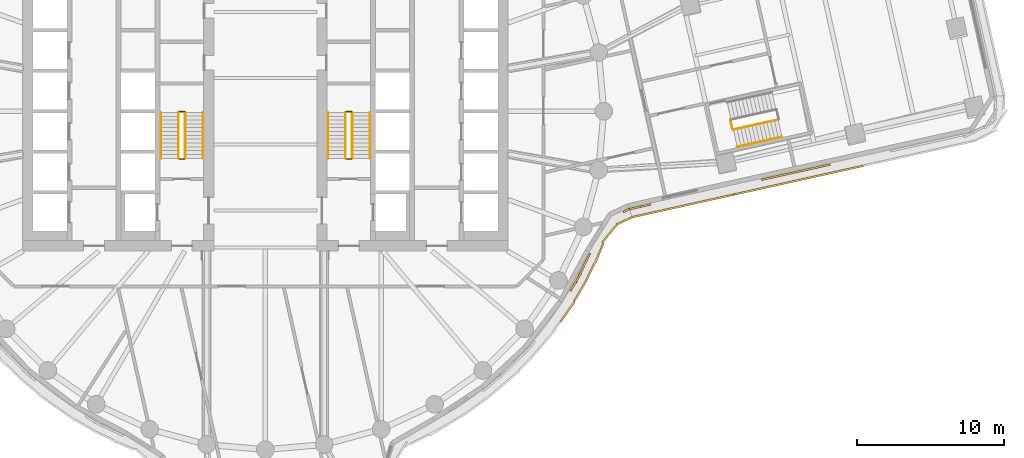
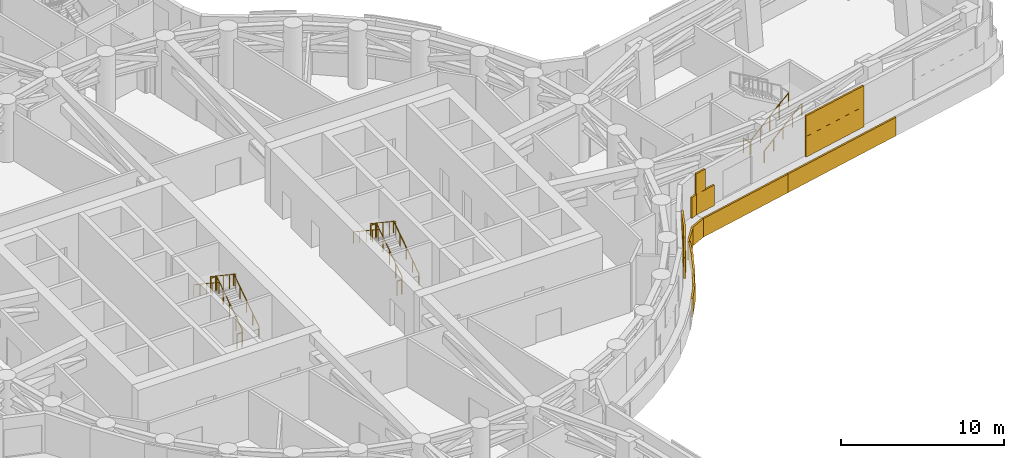
# One storey, part 19 of 22: 15 railings, 3 coverings.
"""IFC4 building model written with IfcOpenShell, lengths in metres."""

from ifc_helpers import new_model, si_unit, direction, frame, origin, origin_2d, place, context, subcontext, project, spatial, rectangle, circle, extrude, material, layer, layer_set, type_object, element, save


model = new_model("IFC4")

# Units and contexts
model_context = context("Model", 3, precision=1e-05, world=origin(), true_north=direction((0.0, 1.0)))
body_context = subcontext(model_context, "Body", "Model", "MODEL_VIEW")
ifc_project = project(units=[si_unit("LENGTHUNIT", "METRE"), si_unit("AREAUNIT", "SQUARE_METRE"), si_unit("VOLUMEUNIT", "CUBIC_METRE"), si_unit("PLANEANGLEUNIT", "RADIAN"), si_unit("MASSUNIT", "GRAM", prefix="KILO")], contexts=[model_context])

# Site, building, storey
site_placement = place(None, origin())
site = spatial("IfcSite", under=ifc_project, at=site_placement, CompositionType="ELEMENT")
building_placement = place(site_placement, origin())
building = spatial("IfcBuilding", under=site, at=building_placement, Name="Tamarind Cross Interchange Tower", CompositionType="ELEMENT")
storey_placement = place(building_placement, frame((0.0, 0.0, 79.0)))
storey = spatial("IfcBuildingStorey", under=building, at=storey_placement, Name="L18", CompositionType="ELEMENT", Elevation=79.0)

# Railings
ifc_material_1 = material(Name="Stair guard")
railing_type_1 = type_object("IfcRailingType", Name="Stair guard", PredefinedType="GUARDRAIL", material=ifc_material_1)
railing_1_placement = place(storey_placement, frame((-5.449951171875, -3.199951171875, 0.173095703125)))
element("IfcRailing", 1, at=railing_1_placement, inside=storey, type_object=railing_type_1, Name="L18 ST1 stair guard 1", PredefinedType="GUARDRAIL", context=body_context, shape_type="SweptSolid", body=[
    extrude(circle(Radius=0.02392578125, at=origin_2d()), frame((0.0, 0.0, 1.076171875), z_axis=(0.0, 0.832420903958, 0.554143879018), x_axis=(-1.0, 0.0, 0.0)), (0.0, 0.0, 1.0), 3.748046875),
    extrude(circle(Radius=0.02099609375, at=origin_2d()), origin(), (0.0, 0.0, 1.0), 1.052001953125),
    extrude(circle(Radius=0.02099609375, at=origin_2d()), frame((0.0, 0.780029296875, 0.519287109375)), (0.0, 0.0, 1.0), 1.052001953125),
    extrude(circle(Radius=0.02099609375, at=origin_2d()), frame((0.0, 1.56005859375, 1.03857421875)), (0.0, 0.0, 1.0), 1.052001953125),
    extrude(circle(Radius=0.02099609375, at=origin_2d()), frame((0.0, 2.33984375, 1.5576171875)), (0.0, 0.0, 1.0), 1.052001953125),
    extrude(circle(Radius=0.02099609375, at=origin_2d()), frame((0.0, 3.119873046875, 2.076904296875)), (0.0, 0.0, 1.0), 1.052001953125),
])
railing_2_placement = place(storey_placement, frame((-5.5, -0.030029296875, 2.25)))
element("IfcRailing", 2, at=railing_2_placement, inside=storey, type_object=railing_type_1, Name="L18 ST1 stair guard 2", PredefinedType="GUARDRAIL", context=body_context, shape_type="SweptSolid", body=[
    extrude(circle(Radius=0.02392578125, at=origin_2d()), frame((0.0, 0.0, 1.076171875), z_axis=(-1.0, 0.0, 0.0), x_axis=(0.0, -1.0, 0.0)), (0.0, 0.0, 1.0), 0.35009765625),
    extrude(circle(Radius=0.02099609375, at=origin_2d()), origin(), (0.0, 0.0, 1.0), 1.052001953125),
    extrude(circle(Radius=0.02099609375, at=origin_2d()), frame((-0.35009765625, 0.0, 0.0)), (0.0, 0.0, 1.0), 1.052001953125),
])
railing_3_placement = place(storey_placement, frame((-5.89990234375, -0.080078125, 2.423095703125)))
element("IfcRailing", 3, at=railing_3_placement, inside=storey, type_object=railing_type_1, Name="L18 ST1 stair guard 3", PredefinedType="GUARDRAIL", context=body_context, shape_type="SweptSolid", body=[
    extrude(circle(Radius=0.02392578125, at=origin_2d()), frame((0.0, 0.0, 1.076171875), z_axis=(0.0, -0.832420903958, 0.554143879018), x_axis=(1.0, 0.0, 0.0)), (0.0, 0.0, 1.0), 3.748046875),
    extrude(circle(Radius=0.02099609375, at=origin_2d()), origin(), (0.0, 0.0, 1.0), 1.052001953125),
    extrude(circle(Radius=0.02099609375, at=origin_2d()), frame((0.0, -0.780029296875, 0.519287109375)), (0.0, 0.0, 1.0), 1.052001953125),
    extrude(circle(Radius=0.02099609375, at=origin_2d()), frame((0.0, -1.56005859375, 1.03857421875)), (0.0, 0.0, 1.0), 1.052001953125),
    extrude(circle(Radius=0.02099609375, at=origin_2d()), frame((0.0, -2.33984375, 1.5576171875)), (0.0, 0.0, 1.0), 1.052001953125),
    extrude(circle(Radius=0.02099609375, at=origin_2d()), frame((0.0, -3.119873046875, 2.076904296875)), (0.0, 0.0, 1.0), 1.052001953125),
])
railing_4_placement = place(storey_placement, frame((-5.5, -3.25, 0.0)))
element("IfcRailing", 4, at=railing_4_placement, inside=storey, type_object=railing_type_1, Name="L18 ST1 stair guard 4", PredefinedType="GUARDRAIL", context=body_context, shape_type="SweptSolid", body=[
    extrude(circle(Radius=0.02392578125, at=origin_2d()), frame((0.0, 0.0, 1.076171875), z_axis=(-1.0, 0.0, 0.0), x_axis=(0.0, -1.0, 0.0)), (0.0, 0.0, 1.0), 0.35009765625),
    extrude(circle(Radius=0.02099609375, at=origin_2d()), origin(), (0.0, 0.0, 1.0), 1.052001953125),
    extrude(circle(Radius=0.02099609375, at=origin_2d()), frame((-0.35009765625, 0.0, 0.0)), (0.0, 0.0, 1.0), 1.052001953125),
])
railing_5_placement = place(storey_placement, frame((5.89990234375, -3.199951171875, 0.173095703125)))
element("IfcRailing", 5, at=railing_5_placement, inside=storey, type_object=railing_type_1, Name="L18 ST2 stair guard 1", PredefinedType="GUARDRAIL", context=body_context, shape_type="SweptSolid", body=[
    extrude(circle(Radius=0.02392578125, at=origin_2d()), frame((0.0, 0.0, 1.076171875), z_axis=(0.0, 0.832420903958, 0.554143879018), x_axis=(-1.0, 0.0, 0.0)), (0.0, 0.0, 1.0), 3.748046875),
    extrude(circle(Radius=0.02099609375, at=origin_2d()), origin(), (0.0, 0.0, 1.0), 1.052001953125),
    extrude(circle(Radius=0.02099609375, at=origin_2d()), frame((0.0, 0.780029296875, 0.519287109375)), (0.0, 0.0, 1.0), 1.052001953125),
    extrude(circle(Radius=0.02099609375, at=origin_2d()), frame((0.0, 1.56005859375, 1.03857421875)), (0.0, 0.0, 1.0), 1.052001953125),
    extrude(circle(Radius=0.02099609375, at=origin_2d()), frame((0.0, 2.33984375, 1.5576171875)), (0.0, 0.0, 1.0), 1.052001953125),
    extrude(circle(Radius=0.02099609375, at=origin_2d()), frame((0.0, 3.119873046875, 2.076904296875)), (0.0, 0.0, 1.0), 1.052001953125),
])
railing_6_placement = place(storey_placement, frame((5.85009765625, -0.030029296875, 2.25)))
element("IfcRailing", 6, at=railing_6_placement, inside=storey, type_object=railing_type_1, Name="L18 ST2 stair guard 2", PredefinedType="GUARDRAIL", context=body_context, shape_type="SweptSolid", body=[
    extrude(circle(Radius=0.02392578125, at=origin_2d()), frame((0.0, 0.0, 1.076171875), z_axis=(-1.0, 0.0, 0.0), x_axis=(0.0, -1.0, 0.0)), (0.0, 0.0, 1.0), 0.35009765625),
    extrude(circle(Radius=0.02099609375, at=origin_2d()), origin(), (0.0, 0.0, 1.0), 1.052001953125),
    extrude(circle(Radius=0.02099609375, at=origin_2d()), frame((-0.35009765625, 0.0, 0.0)), (0.0, 0.0, 1.0), 1.052001953125),
])
railing_7_placement = place(storey_placement, frame((5.449951171875, -0.080078125, 2.423095703125)))
element("IfcRailing", 7, at=railing_7_placement, inside=storey, type_object=railing_type_1, Name="L18 ST2 stair guard 3", PredefinedType="GUARDRAIL", context=body_context, shape_type="SweptSolid", body=[
    extrude(circle(Radius=0.02392578125, at=origin_2d()), frame((0.0, 0.0, 1.076171875), z_axis=(0.0, -0.832420903958, 0.554143879018), x_axis=(1.0, 0.0, 0.0)), (0.0, 0.0, 1.0), 3.748046875),
    extrude(circle(Radius=0.02099609375, at=origin_2d()), origin(), (0.0, 0.0, 1.0), 1.052001953125),
    extrude(circle(Radius=0.02099609375, at=origin_2d()), frame((0.0, -0.780029296875, 0.519287109375)), (0.0, 0.0, 1.0), 1.052001953125),
    extrude(circle(Radius=0.02099609375, at=origin_2d()), frame((0.0, -1.56005859375, 1.03857421875)), (0.0, 0.0, 1.0), 1.052001953125),
    extrude(circle(Radius=0.02099609375, at=origin_2d()), frame((0.0, -2.33984375, 1.5576171875)), (0.0, 0.0, 1.0), 1.052001953125),
    extrude(circle(Radius=0.02099609375, at=origin_2d()), frame((0.0, -3.119873046875, 2.076904296875)), (0.0, 0.0, 1.0), 1.052001953125),
])
railing_8_placement = place(storey_placement, frame((5.85009765625, -3.25, 0.0)))
element("IfcRailing", 8, at=railing_8_placement, inside=storey, type_object=railing_type_1, Name="L18 ST2 stair guard 4", PredefinedType="GUARDRAIL", context=body_context, shape_type="SweptSolid", body=[
    extrude(circle(Radius=0.02392578125, at=origin_2d()), frame((0.0, 0.0, 1.076171875), z_axis=(-1.0, 0.0, 0.0), x_axis=(0.0, -1.0, 0.0)), (0.0, 0.0, 1.0), 0.35009765625),
    extrude(circle(Radius=0.02099609375, at=origin_2d()), origin(), (0.0, 0.0, 1.0), 1.052001953125),
    extrude(circle(Radius=0.02099609375, at=origin_2d()), frame((-0.35009765625, 0.0, 0.0)), (0.0, 0.0, 1.0), 1.052001953125),
])
railing_9_placement = place(storey_placement, frame((31.805419921875, -1.251220703125, 0.173095703125)))
element("IfcRailing", 9, at=railing_9_placement, inside=storey, type_object=railing_type_1, Name="L18 ST3 stair guard 1", PredefinedType="GUARDRAIL", context=body_context, shape_type="SweptSolid", body=[
    extrude(circle(Radius=0.02392578125, at=origin_2d()), frame((0.0, 0.0, 1.076171875), z_axis=(0.812587629324, 0.180690828356, 0.554122882778), x_axis=(-0.217063019009, 0.976157592696, 0.0)), (0.0, 0.0, 1.0), 3.748046875),
    extrude(circle(Radius=0.02099609375, at=origin_2d()), origin(), (0.0, 0.0, 1.0), 1.052001953125),
    extrude(circle(Radius=0.02099609375, at=origin_2d()), frame((0.761474609375, 0.16943359375, 0.519287109375)), (0.0, 0.0, 1.0), 1.052001953125),
    extrude(circle(Radius=0.02099609375, at=origin_2d()), frame((1.52294921875, 0.338623046875, 1.03857421875)), (0.0, 0.0, 1.0), 1.052001953125),
    extrude(circle(Radius=0.02099609375, at=origin_2d()), frame((2.2841796875, 0.5078125, 1.5576171875)), (0.0, 0.0, 1.0), 1.052001953125),
    extrude(circle(Radius=0.02099609375, at=origin_2d()), frame((3.045654296875, 0.67724609375, 2.076904296875)), (0.0, 0.0, 1.0), 1.052001953125),
])
railing_10_placement = place(storey_placement, frame((31.745849609375, -1.21337890625, 0.0)))
element("IfcRailing", 10, at=railing_10_placement, inside=storey, type_object=railing_type_1, Name="L18 ST3 stair guard 4", PredefinedType="GUARDRAIL", context=body_context, shape_type="SweptSolid", body=[
    extrude(circle(Radius=0.02392578125, at=origin_2d()), frame((0.0, 0.0, 1.076171875), z_axis=(-0.21727509746, 0.976110409751, 0.0), x_axis=(-0.976110409751, -0.21727509746, 0.0)), (0.0, 0.0, 1.0), 0.60009765625),
    extrude(circle(Radius=0.02099609375, at=origin_2d()), origin(), (0.0, 0.0, 1.0), 1.052001953125),
    extrude(circle(Radius=0.02099609375, at=origin_2d()), frame((-0.13037109375, 0.585693359375, 0.0)), (0.0, 0.0, 1.0), 1.052001953125),
])
ifc_material_2 = material(Name="Stair handrail")
railing_type_2 = type_object("IfcRailingType", Name="Stair handrail", PredefinedType="HANDRAIL", material=ifc_material_2)
railing_11_placement = place(storey_placement, frame((-4.25, -3.199951171875, 0.173095703125)))
element("IfcRailing", 11, at=railing_11_placement, inside=storey, type_object=railing_type_2, Name="L18 ST1 stair handrail 1", PredefinedType="HANDRAIL", context=body_context, shape_type="SweptSolid", body=[
    extrude(circle(Radius=0.02392578125, at=origin_2d()), frame((0.0, 0.0, 0.8759765625), z_axis=(0.0, 0.832420903958, 0.554143879018), x_axis=(-1.0, 0.0, 0.0)), (0.0, 0.0, 1.0), 3.748046875),
    extrude(circle(Radius=0.02099609375, at=origin_2d()), origin(), (0.0, 0.0, 1.0), 0.851806640625),
    extrude(circle(Radius=0.02099609375, at=origin_2d()), frame((0.0, 0.780029296875, 0.519287109375)), (0.0, 0.0, 1.0), 0.851806640625),
    extrude(circle(Radius=0.02099609375, at=origin_2d()), frame((0.0, 1.56005859375, 1.03857421875)), (0.0, 0.0, 1.0), 0.851806640625),
    extrude(circle(Radius=0.02099609375, at=origin_2d()), frame((0.0, 2.33984375, 1.5576171875)), (0.0, 0.0, 1.0), 0.851806640625),
    extrude(circle(Radius=0.02099609375, at=origin_2d()), frame((0.0, 3.119873046875, 2.076904296875)), (0.0, 0.0, 1.0), 0.851806640625),
])
railing_12_placement = place(storey_placement, frame((-7.10009765625, -0.080078125, 2.423095703125)))
element("IfcRailing", 12, at=railing_12_placement, inside=storey, type_object=railing_type_2, Name="L18 ST1 stair handrail 2", PredefinedType="HANDRAIL", context=body_context, shape_type="SweptSolid", body=[
    extrude(circle(Radius=0.02392578125, at=origin_2d()), frame((0.0, 0.0, 0.8759765625), z_axis=(0.0, -0.832420903958, 0.554143879018), x_axis=(1.0, 0.0, 0.0)), (0.0, 0.0, 1.0), 3.748046875),
    extrude(circle(Radius=0.02099609375, at=origin_2d()), origin(), (0.0, 0.0, 1.0), 0.851806640625),
    extrude(circle(Radius=0.02099609375, at=origin_2d()), frame((0.0, -0.780029296875, 0.519287109375)), (0.0, 0.0, 1.0), 0.851806640625),
    extrude(circle(Radius=0.02099609375, at=origin_2d()), frame((0.0, -1.56005859375, 1.03857421875)), (0.0, 0.0, 1.0), 0.851806640625),
    extrude(circle(Radius=0.02099609375, at=origin_2d()), frame((0.0, -2.33984375, 1.5576171875)), (0.0, 0.0, 1.0), 0.851806640625),
    extrude(circle(Radius=0.02099609375, at=origin_2d()), frame((0.0, -3.119873046875, 2.076904296875)), (0.0, 0.0, 1.0), 0.851806640625),
])
railing_13_placement = place(storey_placement, frame((7.10009765625, -3.199951171875, 0.173095703125)))
element("IfcRailing", 13, at=railing_13_placement, inside=storey, type_object=railing_type_2, Name="L18 ST2 stair handrail 1", PredefinedType="HANDRAIL", context=body_context, shape_type="SweptSolid", body=[
    extrude(circle(Radius=0.02392578125, at=origin_2d()), frame((0.0, 0.0, 0.8759765625), z_axis=(0.0, 0.832420903958, 0.554143879018), x_axis=(-1.0, 0.0, 0.0)), (0.0, 0.0, 1.0), 3.748046875),
    extrude(circle(Radius=0.02099609375, at=origin_2d()), origin(), (0.0, 0.0, 1.0), 0.851806640625),
    extrude(circle(Radius=0.02099609375, at=origin_2d()), frame((0.0, 0.780029296875, 0.519287109375)), (0.0, 0.0, 1.0), 0.851806640625),
    extrude(circle(Radius=0.02099609375, at=origin_2d()), frame((0.0, 1.56005859375, 1.03857421875)), (0.0, 0.0, 1.0), 0.851806640625),
    extrude(circle(Radius=0.02099609375, at=origin_2d()), frame((0.0, 2.33984375, 1.5576171875)), (0.0, 0.0, 1.0), 0.851806640625),
    extrude(circle(Radius=0.02099609375, at=origin_2d()), frame((0.0, 3.119873046875, 2.076904296875)), (0.0, 0.0, 1.0), 0.851806640625),
])
railing_14_placement = place(storey_placement, frame((4.25, -0.080078125, 2.423095703125)))
element("IfcRailing", 14, at=railing_14_placement, inside=storey, type_object=railing_type_2, Name="L18 ST2 stair handrail 2", PredefinedType="HANDRAIL", context=body_context, shape_type="SweptSolid", body=[
    extrude(circle(Radius=0.02392578125, at=origin_2d()), frame((0.0, 0.0, 0.8759765625), z_axis=(0.0, -0.832420903958, 0.554143879018), x_axis=(1.0, 0.0, 0.0)), (0.0, 0.0, 1.0), 3.748046875),
    extrude(circle(Radius=0.02099609375, at=origin_2d()), origin(), (0.0, 0.0, 1.0), 0.851806640625),
    extrude(circle(Radius=0.02099609375, at=origin_2d()), frame((0.0, -0.780029296875, 0.519287109375)), (0.0, 0.0, 1.0), 0.851806640625),
    extrude(circle(Radius=0.02099609375, at=origin_2d()), frame((0.0, -1.56005859375, 1.03857421875)), (0.0, 0.0, 1.0), 0.851806640625),
    extrude(circle(Radius=0.02099609375, at=origin_2d()), frame((0.0, -2.33984375, 1.5576171875)), (0.0, 0.0, 1.0), 0.851806640625),
    extrude(circle(Radius=0.02099609375, at=origin_2d()), frame((0.0, -3.119873046875, 2.076904296875)), (0.0, 0.0, 1.0), 0.851806640625),
])
railing_15_placement = place(storey_placement, frame((32.06591796875, -2.422607421875, 0.173095703125)))
element("IfcRailing", 15, at=railing_15_placement, inside=storey, type_object=railing_type_2, Name="L18 ST3 stair handrail 1", PredefinedType="HANDRAIL", context=body_context, shape_type="SweptSolid", body=[
    extrude(circle(Radius=0.02392578125, at=origin_2d()), frame((0.0, 0.0, 0.8759765625), z_axis=(0.812587629324, 0.180690828356, 0.554122882778), x_axis=(-0.217063019009, 0.976157592696, 0.0)), (0.0, 0.0, 1.0), 3.748046875),
    extrude(circle(Radius=0.02099609375, at=origin_2d()), origin(), (0.0, 0.0, 1.0), 0.851806640625),
    extrude(circle(Radius=0.02099609375, at=origin_2d()), frame((0.761474609375, 0.16943359375, 0.519287109375)), (0.0, 0.0, 1.0), 0.851806640625),
    extrude(circle(Radius=0.02099609375, at=origin_2d()), frame((1.52294921875, 0.338623046875, 1.03857421875)), (0.0, 0.0, 1.0), 0.851806640625),
    extrude(circle(Radius=0.02099609375, at=origin_2d()), frame((2.2841796875, 0.5078125, 1.5576171875)), (0.0, 0.0, 1.0), 0.851806640625),
    extrude(circle(Radius=0.02099609375, at=origin_2d()), frame((3.045654296875, 0.67724609375, 2.076904296875)), (0.0, 0.0, 1.0), 0.851806640625),
])

# Coverings
ifc_material_3 = material(Name="Terracotta", Category="masonry")
ifc_layer = layer(ifc_material_3, 0.1201171875)
ifc_layer_set = layer_set([ifc_layer], Name="Terracotta")
covering_type = type_object("IfcCoveringType", Name="Terracotta baguette screen unit", PredefinedType="MOLDING", material=ifc_layer_set)
covering_1_placement = place(storey_placement, origin())
element("IfcCovering", 16, at=covering_1_placement, inside=storey, type_object=covering_type, Name="SCR-L18-06-01", PredefinedType="MOLDING", context=body_context, shape_type="SweptSolid", body=[
    extrude(rectangle(XDim=0.64013671875, YDim=0.1201171875, at=origin_2d()), frame((20.895751953125, -11.942626953125, 1.404052734375), z_axis=(0.0, 0.0, 1.0), x_axis=(0.508183308752, 0.861248933065, 0.0)), (0.0, 0.0, 1.0), 1.5419921875),
    extrude(rectangle(XDim=1.52001953125, YDim=0.1201171875, at=origin_2d()), frame((21.407470703125, -11.009765625, 1.404052734375), z_axis=(0.0, 0.0, 1.0), x_axis=(0.435326231914, 0.900272776334, 0.0)), (0.0, 0.0, 1.0), 1.5419921875),
    extrude(rectangle(XDim=0.4677734375, YDim=0.1201171875, at=origin_2d()), frame((24.535888671875, -6.7509765625, 1.404052734375), z_axis=(0.0, 0.0, 1.0), x_axis=(0.904149123299, 0.427216997365, 0.0)), (0.0, 0.0, 1.0), 1.5419921875),
    extrude(rectangle(XDim=1.39013671875, YDim=0.1201171875, at=origin_2d()), frame((21.086181640625, -11.61962890625, 2.9541015625), z_axis=(0.0, 0.0, 1.0), x_axis=(0.508183308752, 0.861248933065, 0.0)), (0.0, 0.0, 1.0), 1.5419921875),
    extrude(rectangle(XDim=1.52001953125, YDim=0.1201171875, at=origin_2d()), frame((21.734130859375, -10.33447265625, 2.9541015625), z_axis=(0.0, 0.0, 1.0), x_axis=(0.435326231914, 0.900272776334, 0.0)), (0.0, 0.0, 1.0), 1.5419921875),
    extrude(rectangle(XDim=0.143798828125, YDim=0.1201171875, at=origin_2d()), frame((20.10205078125, -14.248291015625, 0.00390625), z_axis=(0.0, 0.0, 1.0), x_axis=(0.577568978284, 0.816341886298, 0.0)), (0.0, 0.0, 1.0), 1.39208984375),
    extrude(rectangle(XDim=1.52001953125, YDim=0.1201171875, at=origin_2d()), frame((20.57080078125, -13.58544921875, 0.00390625), z_axis=(0.0, 0.0, 1.0), x_axis=(0.577568978284, 0.816341886298, 0.0)), (0.0, 0.0, 1.0), 1.39208984375),
    extrude(rectangle(XDim=1.52001953125, YDim=0.1201171875, at=origin_2d()), frame((21.34912109375, -12.303955078125, 0.00390625), z_axis=(0.0, 0.0, 1.0), x_axis=(0.508183308752, 0.861248933065, 0.0)), (0.0, 0.0, 1.0), 1.39208984375),
    extrude(rectangle(XDim=1.52001953125, YDim=0.1201171875, at=origin_2d()), frame((22.057861328125, -10.9833984375, 0.00390625), z_axis=(0.0, 0.0, 1.0), x_axis=(0.435326231914, 0.900272776334, 0.0)), (0.0, 0.0, 1.0), 1.39208984375),
    extrude(rectangle(XDim=1.52001953125, YDim=0.1201171875, at=origin_2d()), frame((22.700439453125, -9.62841796875, 0.00390625), z_axis=(0.0, 0.0, 1.0), x_axis=(0.384516546939, 0.923118099232, 0.0)), (0.0, 0.0, 1.0), 1.39208984375),
    extrude(rectangle(XDim=1.52001953125, YDim=0.1201171875, at=origin_2d()), frame((23.396728515625, -8.31591796875, 0.00390625), z_axis=(0.0, 0.0, 1.0), x_axis=(0.637800965982, 0.77020122552, 0.0)), (0.0, 0.0, 1.0), 1.39208984375),
    extrude(rectangle(XDim=1.201904296875, YDim=0.1201171875, at=origin_2d()), frame((24.38671875, -7.456298828125, 0.00390625), z_axis=(0.0, 0.0, 1.0), x_axis=(0.904149123299, 0.427216997365, 0.0)), (0.0, 0.0, 1.0), 1.39208984375),
])
covering_2_placement = place(storey_placement, origin())
element("IfcCovering", 17, at=covering_2_placement, inside=storey, type_object=covering_type, Name="SCR-L18-07-00", PredefinedType="MOLDING", context=body_context, shape_type="SweptSolid", body=[
    extrude(rectangle(XDim=1.510009765625, YDim=0.1201171875, at=origin_2d()), frame((25.474853515625, -6.490478515625, 1.404052734375), z_axis=(0.0, 0.0, 1.0), x_axis=(0.976153759752, 0.217080255487, 0.0)), (0.0, 0.0, 1.0), 1.5419921875),
    extrude(rectangle(XDim=0.760009765625, YDim=0.1201171875, at=origin_2d()), frame((25.10888671875, -6.57177734375, 2.9541015625), z_axis=(0.0, 0.0, 1.0), x_axis=(0.976153759752, 0.217080255487, 0.0)), (0.0, 0.0, 1.0), 1.5419921875),
    extrude(rectangle(XDim=1.510009765625, YDim=0.1201171875, at=origin_2d()), frame((25.6669921875, -7.03564453125, 0.00390625), z_axis=(0.0, 0.0, 1.0), x_axis=(0.976153759752, 0.217080255487, 0.0)), (0.0, 0.0, 1.0), 1.39208984375),
    extrude(rectangle(XDim=1.52001953125, YDim=0.1201171875, at=origin_2d()), frame((27.126220703125, -6.711181640625, 0.00390625), z_axis=(0.0, 0.0, 1.0), x_axis=(0.976153759752, 0.217080255487, 0.0)), (0.0, 0.0, 1.0), 1.39208984375),
    extrude(rectangle(XDim=1.52001953125, YDim=0.1201171875, at=origin_2d()), frame((28.590576171875, -6.385498046875, 0.00390625), z_axis=(0.0, 0.0, 1.0), x_axis=(0.976153759752, 0.217080255487, 0.0)), (0.0, 0.0, 1.0), 1.39208984375),
    extrude(rectangle(XDim=1.52001953125, YDim=0.1201171875, at=origin_2d()), frame((30.0546875, -6.06005859375, 0.00390625), z_axis=(0.0, 0.0, 1.0), x_axis=(0.976153759752, 0.217080255487, 0.0)), (0.0, 0.0, 1.0), 1.39208984375),
    extrude(rectangle(XDim=1.0908203125, YDim=0.1201171875, at=origin_2d()), frame((31.3095703125, -5.781005859375, 0.00390625), z_axis=(0.0, 0.0, 1.0), x_axis=(0.976153759752, 0.217080255487, 0.0)), (0.0, 0.0, 1.0), 1.39208984375),
])
covering_3_placement = place(storey_placement, origin())
element("IfcCovering", 18, at=covering_3_placement, inside=storey, type_object=covering_type, Name="SCR-L18-07-01", PredefinedType="MOLDING", context=body_context, shape_type="SweptSolid", body=[
    extrude(rectangle(XDim=1.33251953125, YDim=0.1201171875, at=origin_2d()), frame((34.346923828125, -4.517578125, 1.404052734375), z_axis=(0.0, 0.0, 1.0), x_axis=(0.976153759752, 0.217080255487, 0.0)), (0.0, 0.0, 1.0), 1.5419921875),
    extrude(rectangle(XDim=1.52001953125, YDim=0.1201171875, at=origin_2d()), frame((35.724365234375, -4.211181640625, 1.404052734375), z_axis=(0.0, 0.0, 1.0), x_axis=(0.976153759752, 0.217080255487, 0.0)), (0.0, 0.0, 1.0), 1.5419921875),
    extrude(rectangle(XDim=1.52001953125, YDim=0.1201171875, at=origin_2d()), frame((37.188720703125, -3.885498046875, 1.404052734375), z_axis=(0.0, 0.0, 1.0), x_axis=(0.976153759752, 0.217080255487, 0.0)), (0.0, 0.0, 1.0), 1.5419921875),
    extrude(rectangle(XDim=0.48828125, YDim=0.1201171875, at=origin_2d()), frame((38.154296875, -3.670654296875, 1.404052734375), z_axis=(0.0, 0.0, 1.0), x_axis=(0.976153759752, 0.217080255487, 0.0)), (0.0, 0.0, 1.0), 1.5419921875),
    extrude(rectangle(XDim=0.58251953125, YDim=0.1201171875, at=origin_2d()), frame((33.980712890625, -4.598876953125, 2.9541015625), z_axis=(0.0, 0.0, 1.0), x_axis=(0.976153759752, 0.217080255487, 0.0)), (0.0, 0.0, 1.0), 1.5419921875),
    extrude(rectangle(XDim=1.52001953125, YDim=0.1201171875, at=origin_2d()), frame((34.992431640625, -4.3740234375, 2.9541015625), z_axis=(0.0, 0.0, 1.0), x_axis=(0.976153759752, 0.217080255487, 0.0)), (0.0, 0.0, 1.0), 1.5419921875),
    extrude(rectangle(XDim=1.52001953125, YDim=0.1201171875, at=origin_2d()), frame((36.45654296875, -4.04833984375, 2.9541015625), z_axis=(0.0, 0.0, 1.0), x_axis=(0.976153759752, 0.217080255487, 0.0)), (0.0, 0.0, 1.0), 1.5419921875),
    extrude(rectangle(XDim=1.23828125, YDim=0.1201171875, at=origin_2d()), frame((37.7880859375, -3.752197265625, 2.9541015625), z_axis=(0.0, 0.0, 1.0), x_axis=(0.976153759752, 0.217080255487, 0.0)), (0.0, 0.0, 1.0), 1.5419921875),
    extrude(rectangle(XDim=0.42919921875, YDim=0.1201171875, at=origin_2d()), frame((32.051513671875, -5.615966796875, 0.00390625), z_axis=(0.0, 0.0, 1.0), x_axis=(0.976153759752, 0.217080255487, 0.0)), (0.0, 0.0, 1.0), 1.39208984375),
    extrude(rectangle(XDim=1.52001953125, YDim=0.1201171875, at=origin_2d()), frame((32.983154296875, -5.40869140625, 0.00390625), z_axis=(0.0, 0.0, 1.0), x_axis=(0.976153759752, 0.217080255487, 0.0)), (0.0, 0.0, 1.0), 1.39208984375),
    extrude(rectangle(XDim=1.52001953125, YDim=0.1201171875, at=origin_2d()), frame((34.447509765625, -5.0830078125, 0.00390625), z_axis=(0.0, 0.0, 1.0), x_axis=(0.976153759752, 0.217080255487, 0.0)), (0.0, 0.0, 1.0), 1.39208984375),
    extrude(rectangle(XDim=1.52001953125, YDim=0.1201171875, at=origin_2d()), frame((35.91162109375, -4.757568359375, 0.00390625), z_axis=(0.0, 0.0, 1.0), x_axis=(0.976153759752, 0.217080255487, 0.0)), (0.0, 0.0, 1.0), 1.39208984375),
    extrude(rectangle(XDim=1.52001953125, YDim=0.1201171875, at=origin_2d()), frame((37.3759765625, -4.431884765625, 0.00390625), z_axis=(0.0, 0.0, 1.0), x_axis=(0.976153759752, 0.217080255487, 0.0)), (0.0, 0.0, 1.0), 1.39208984375),
    extrude(rectangle(XDim=1.52001953125, YDim=0.1201171875, at=origin_2d()), frame((38.840087890625, -4.106201171875, 0.00390625), z_axis=(0.0, 0.0, 1.0), x_axis=(0.976153759752, 0.217080255487, 0.0)), (0.0, 0.0, 1.0), 1.39208984375),
    extrude(rectangle(XDim=1.095947265625, YDim=0.1201171875, at=origin_2d()), frame((40.097412109375, -3.82666015625, 0.00390625), z_axis=(0.0, 0.0, 1.0), x_axis=(0.976153759752, 0.217080255487, 0.0)), (0.0, 0.0, 1.0), 1.39208984375),
])

save(model, "model.ifc")
